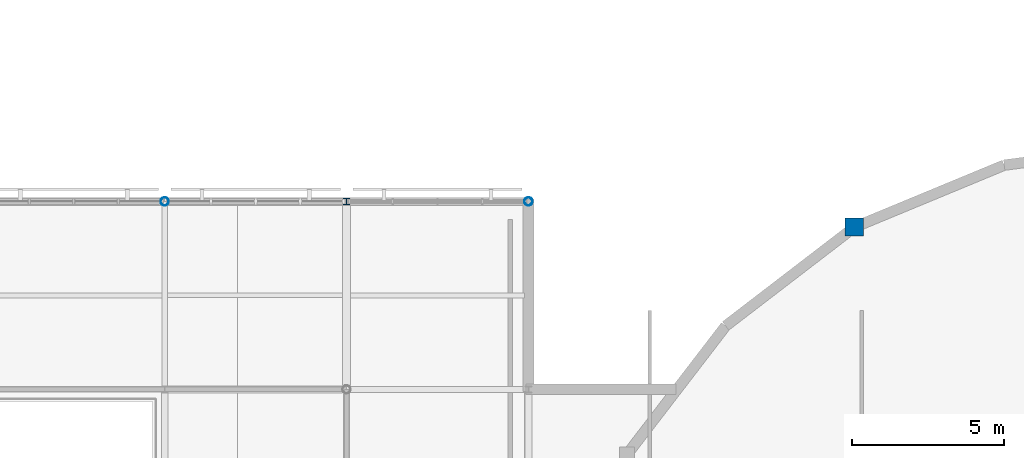
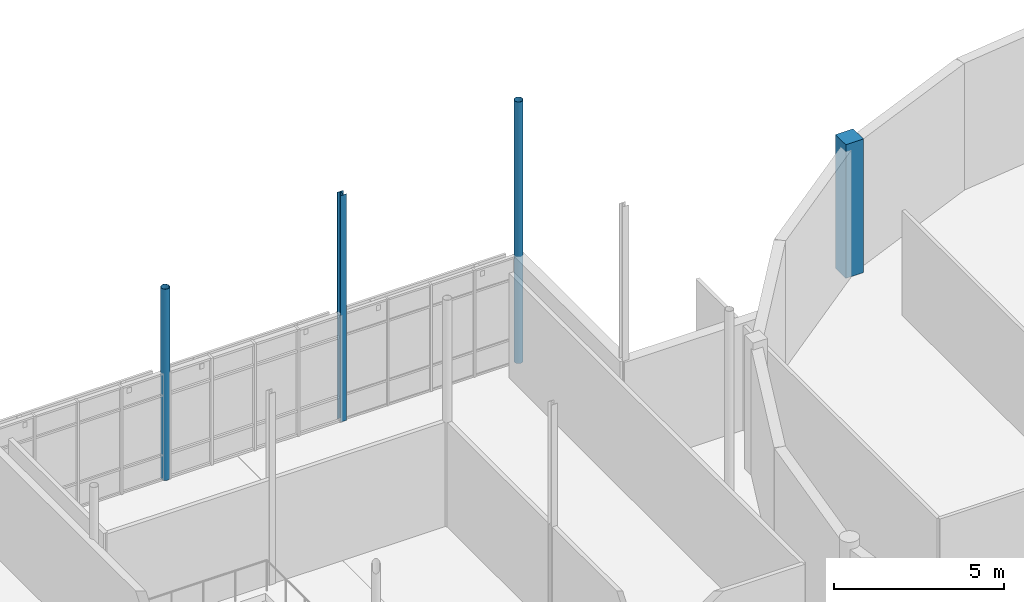
# One storey, part 9 of 66: 4 columns.
"""IFC4 building model written with IfcOpenShell, lengths in metres."""

from ifc_helpers import new_model, si_unit, direction, frame, origin, origin_2d, place, context, subcontext, project, spatial, rectangle, hollow_circle, i_section, extrude, material, material_profile, profile_set, type_object, element, save


model = new_model("IFC4")

# Units and contexts
model_context = context("Model", 3, precision=1e-05, world=origin(), true_north=direction((0.0, 1.0)))
body_context = subcontext(model_context, "Body", "Model", "MODEL_VIEW")
ifc_project = project(units=[si_unit("LENGTHUNIT", "METRE"), si_unit("AREAUNIT", "SQUARE_METRE"), si_unit("VOLUMEUNIT", "CUBIC_METRE"), si_unit("PLANEANGLEUNIT", "RADIAN"), si_unit("MASSUNIT", "GRAM", prefix="KILO")], contexts=[model_context])

# Site, building, storey
site_placement = place(None, origin())
site = spatial("IfcSite", under=ifc_project, at=site_placement, CompositionType="ELEMENT")
building_placement = place(site_placement, origin())
building = spatial("IfcBuilding", under=site, at=building_placement, Name="Mirzam Square Science Centre", CompositionType="ELEMENT")
storey_placement = place(building_placement, frame((0.0, 0.0, 15.60009765625)))
storey = spatial("IfcBuildingStorey", under=building, at=storey_placement, Name="L03", CompositionType="ELEMENT", Elevation=15.60009765625)

# Columns
ifc_material_1 = material(Name="Steel S355", Category="steel")
ifc_material_profile_1 = material_profile(ifc_material_1, hollow_circle(Radius=0.136474609375, WallThickness=0.010009765625, at=origin_2d()), Name="273.0x10.0CHS")
ifc_profile_set_1 = profile_set([ifc_material_profile_1], Name="Steel S355")
column_type_1 = type_object("IfcColumnType", Name="COL-CHS273", PredefinedType="COLUMN", material=ifc_profile_set_1)
column_1_placement = place(storey_placement, frame((48.0, 80.60009765625, 0.0), z_axis=(0.0, 0.0, 1.0), x_axis=(1.0, 0.0, 0.0)))
element("IfcColumn", 1, at=column_1_placement, inside=storey, type_object=column_type_1, Name="L03 column G09-14", PredefinedType="COLUMN", context=body_context, shape_type="SweptSolid", body=[
    extrude(hollow_circle(Radius=0.136474609375, WallThickness=0.010009765625, at=origin_2d()), origin(), (0.0, 0.0, 1.0), 6.869873046875),
])
column_2_placement = place(storey_placement, frame((60.0, 80.60009765625, 0.0), z_axis=(0.0, 0.0, 1.0), x_axis=(1.0, 0.0, 0.0)))
element("IfcColumn", 2, at=column_2_placement, inside=storey, type_object=column_type_1, Name="L03 column G11-14", PredefinedType="COLUMN", context=body_context, shape_type="SweptSolid", body=[
    extrude(hollow_circle(Radius=0.136474609375, WallThickness=0.010009765625, at=origin_2d()), origin(), (0.0, 0.0, 1.0), 9.389892578125),
])
ifc_material_profile_2 = material_profile(ifc_material_1, i_section(OverallWidth=0.205810546875, OverallDepth=0.209716796875, WebThickness=0.009521484375, FlangeThickness=0.01416015625, FilletRadius=0.01025390625, at=origin_2d()), Name="203x203x60UC")
ifc_profile_set_2 = profile_set([ifc_material_profile_2], Name="Steel S355")
column_type_2 = type_object("IfcColumnType", Name="COL-UC203A", PredefinedType="COLUMN", material=ifc_profile_set_2)
column_3_placement = place(storey_placement, frame((54.0, 80.60009765625, 0.0), z_axis=(0.0, 0.0, 1.0), x_axis=(1.0, 0.0, 0.0)))
element("IfcColumn", 3, at=column_3_placement, inside=storey, type_object=column_type_2, Name="L03 column G10-14", PredefinedType="COLUMN", context=body_context, shape_type="SweptSolid", body=[
    extrude(i_section(OverallWidth=0.205810546875, OverallDepth=0.209716796875, WebThickness=0.009521484375, FlangeThickness=0.01416015625, FilletRadius=0.01025390625, at=origin_2d()), origin(), (0.0, 0.0, 1.0), 8.1298828125),
])
ifc_material_2 = material(Name="Concrete C45/55", Category="concrete")
ifc_material_profile_3 = material_profile(ifc_material_2, rectangle(XDim=0.60009765625, YDim=0.60009765625, at=origin_2d()), Name="RC600x600")
ifc_profile_set_3 = profile_set([ifc_material_profile_3], Name="Concrete C45/55")
column_type_3 = type_object("IfcColumnType", Name="PIL-RC600", PredefinedType="PILASTER", material=ifc_profile_set_3)
column_4_placement = place(storey_placement, frame((70.75, 79.75341796875, 0.0), z_axis=(0.0, 0.0, 1.0), x_axis=(1.0, 0.0, 0.0)))
element("IfcColumn", 4, at=column_4_placement, inside=storey, type_object=column_type_3, Name="L03 drum pilaster 09", PredefinedType="PILASTER", context=body_context, shape_type="SweptSolid", body=[
    extrude(rectangle(XDim=0.60009765625, YDim=0.60009765625, at=origin_2d()), origin(), (0.0, 0.0, 1.0), 4.7998046875),
])

save(model, "model.ifc")
